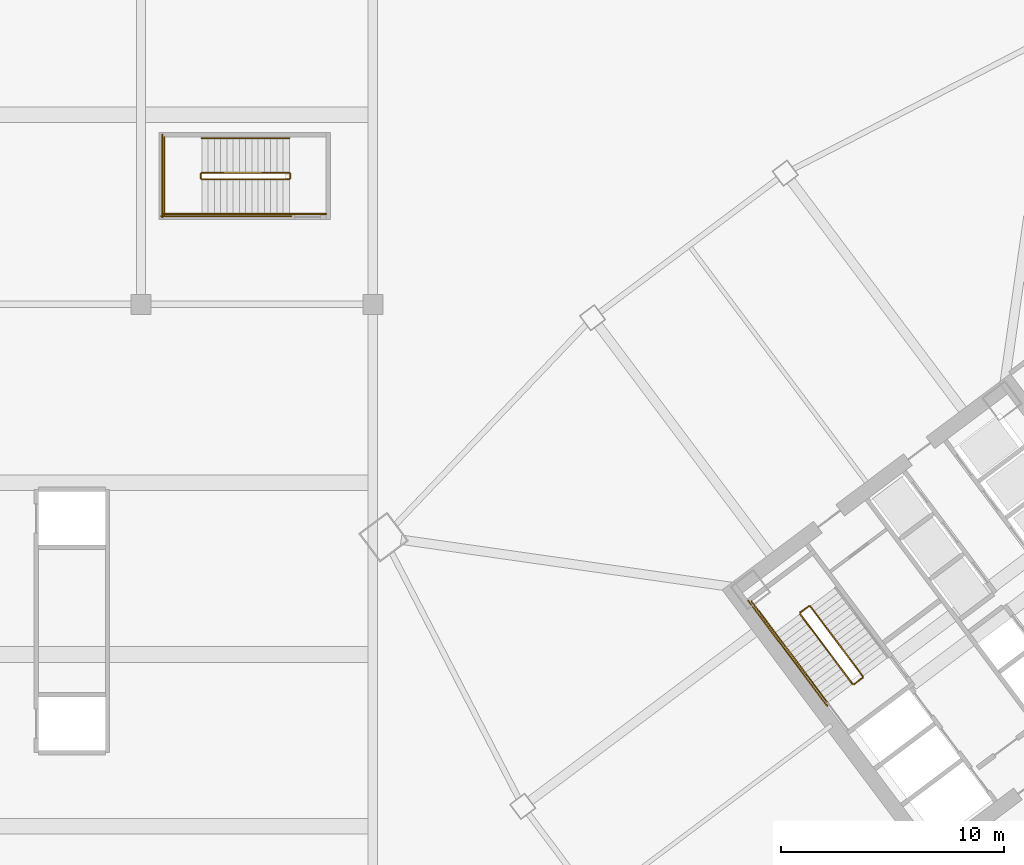
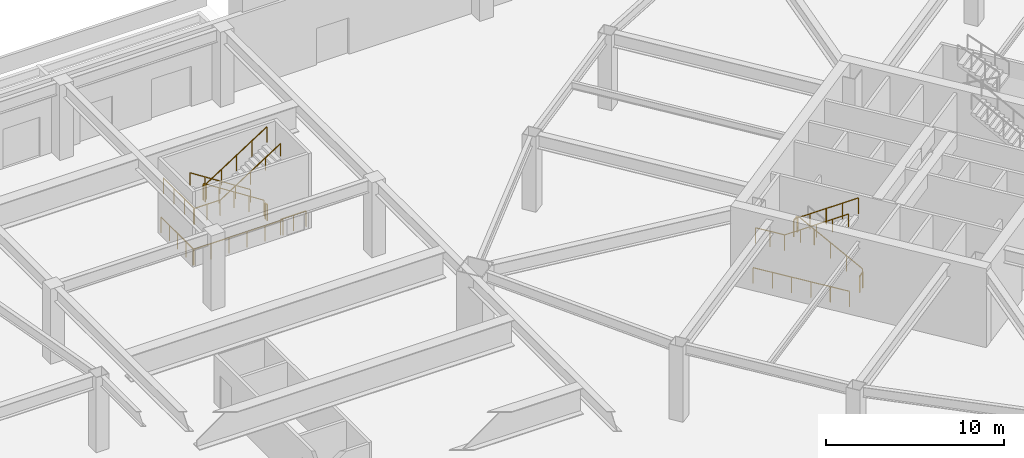
# One storey, part 23 of 26: 18 railings.
"""IFC4 building model written with IfcOpenShell, lengths in metres."""

from ifc_helpers import new_model, si_unit, direction, frame, origin, origin_2d, place, context, subcontext, project, spatial, rectangle, extrude, material, type_object, element, save


model = new_model("IFC4")

# Units and contexts
model_context = context("Model", 3, precision=1e-05, world=origin(), true_north=direction((0.0, 1.0)))
body_context = subcontext(model_context, "Body", "Model", "MODEL_VIEW")
ifc_project = project(units=[si_unit("LENGTHUNIT", "METRE"), si_unit("AREAUNIT", "SQUARE_METRE"), si_unit("VOLUMEUNIT", "CUBIC_METRE"), si_unit("PLANEANGLEUNIT", "RADIAN"), si_unit("MASSUNIT", "GRAM", prefix="KILO")], contexts=[model_context])

# Site, building, storey
site_placement = place(None, origin())
site = spatial("IfcSite", under=ifc_project, at=site_placement, CompositionType="ELEMENT")
building_placement = place(site_placement, origin())
building = spatial("IfcBuilding", under=site, at=building_placement, Name="Tashvorn Skyway Center", CompositionType="ELEMENT")
storey_placement = place(building_placement, origin())
storey = spatial("IfcBuildingStorey", under=building, at=storey_placement, Name="L00", CompositionType="ELEMENT", Elevation=0.0)

# Railings
ifc_material_1 = material(Name="Brushed stainless steel 316", Category="steel")
railing_type_1 = type_object("IfcRailingType", Name="RAIL-HAND-920", PredefinedType="HANDRAIL", material=ifc_material_1)
railing_1_placement = place(storey_placement, frame((105.23193359375, 31.47412109375, 2.8798828125)))
element("IfcRailing", 1, at=railing_1_placement, inside=storey, type_object=railing_type_1, Name="L00 ST-T2-1 stair handrail 2", PredefinedType="HANDRAIL", context=body_context, shape_type="SweptSolid", body=[
    extrude(rectangle(XDim=0.048095703125, YDim=0.048095703125, at=origin_2d()), frame((0.0, 0.0, 0.8759765625), z_axis=(0.504697265729, -0.672964612368, 0.540739586553), x_axis=(0.800014946318, 0.599980071059, 0.0)), (0.0, 0.0, 1.0), 4.660400390625),
    extrude(rectangle(XDim=0.0419921875, YDim=0.0419921875, at=origin_2d()), origin(), (0.0, 0.0, 1.0), 0.851806640625),
    extrude(rectangle(XDim=0.0419921875, YDim=0.0419921875, at=origin_2d()), frame((0.587890625, -0.7841796875, 0.6298828125)), (0.0, 0.0, 1.0), 0.851806640625),
    extrude(rectangle(XDim=0.0419921875, YDim=0.0419921875, at=origin_2d()), frame((1.176025390625, -1.568115234375, 1.260009765625)), (0.0, 0.0, 1.0), 0.851806640625),
    extrude(rectangle(XDim=0.0419921875, YDim=0.0419921875, at=origin_2d()), frame((1.76416015625, -2.35205078125, 1.89013671875)), (0.0, 0.0, 1.0), 0.851806640625),
    extrude(rectangle(XDim=0.0419921875, YDim=0.0419921875, at=origin_2d()), frame((2.35205078125, -3.13623046875, 2.52001953125)), (0.0, 0.0, 1.0), 0.851806640625),
])
railing_2_placement = place(storey_placement, frame((83.449951171875, 53.64990234375, 0.179931640625)))
element("IfcRailing", 2, at=railing_2_placement, inside=storey, type_object=railing_type_1, Name="L00 ST-POD-2 stair handrail 1", PredefinedType="HANDRAIL", context=body_context, shape_type="SweptSolid", body=[
    extrude(rectangle(XDim=0.048095703125, YDim=0.048095703125, at=origin_2d()), frame((0.0, 0.0, 0.8759765625), z_axis=(-0.841171666519, 0.0, 0.540768182723), x_axis=(0.0, -1.0, 0.0)), (0.0, 0.0, 1.0), 4.66015625),
    extrude(rectangle(XDim=0.0419921875, YDim=0.0419921875, at=origin_2d()), origin(), (0.0, 0.0, 1.0), 0.851806640625),
    extrude(rectangle(XDim=0.0419921875, YDim=0.0419921875, at=origin_2d()), frame((-0.97998046875, 0.0, 0.6298828125)), (0.0, 0.0, 1.0), 0.851806640625),
    extrude(rectangle(XDim=0.0419921875, YDim=0.0419921875, at=origin_2d()), frame((-1.9599609375, 0.0, 1.260009765625)), (0.0, 0.0, 1.0), 0.851806640625),
    extrude(rectangle(XDim=0.0419921875, YDim=0.0419921875, at=origin_2d()), frame((-2.93994140625, 0.0, 1.89013671875)), (0.0, 0.0, 1.0), 0.851806640625),
    extrude(rectangle(XDim=0.0419921875, YDim=0.0419921875, at=origin_2d()), frame((-3.919921875, 0.0, 2.52001953125)), (0.0, 0.0, 1.0), 0.851806640625),
])
railing_3_placement = place(storey_placement, frame((79.530029296875, 50.25, 2.8798828125)))
element("IfcRailing", 3, at=railing_3_placement, inside=storey, type_object=railing_type_1, Name="L00 ST-POD-2 stair handrail 2", PredefinedType="HANDRAIL", context=body_context, shape_type="SweptSolid", body=[
    extrude(rectangle(XDim=0.048095703125, YDim=0.048095703125, at=origin_2d()), frame((0.0, 0.0, 0.8759765625), z_axis=(0.841171666519, 0.0, 0.540768182723), x_axis=(0.0, 1.0, 0.0)), (0.0, 0.0, 1.0), 4.66015625),
    extrude(rectangle(XDim=0.0419921875, YDim=0.0419921875, at=origin_2d()), origin(), (0.0, 0.0, 1.0), 0.851806640625),
    extrude(rectangle(XDim=0.0419921875, YDim=0.0419921875, at=origin_2d()), frame((0.97998046875, 0.0, 0.6298828125)), (0.0, 0.0, 1.0), 0.851806640625),
    extrude(rectangle(XDim=0.0419921875, YDim=0.0419921875, at=origin_2d()), frame((1.9599609375, 0.0, 1.260009765625)), (0.0, 0.0, 1.0), 0.851806640625),
    extrude(rectangle(XDim=0.0419921875, YDim=0.0419921875, at=origin_2d()), frame((2.93994140625, 0.0, 1.89013671875)), (0.0, 0.0, 1.0), 0.851806640625),
    extrude(rectangle(XDim=0.0419921875, YDim=0.0419921875, at=origin_2d()), frame((3.919921875, 0.0, 2.52001953125)), (0.0, 0.0, 1.0), 0.851806640625),
])
ifc_material_2 = material(Name="Painted galvanized steel S355", Category="steel")
railing_type_2 = type_object("IfcRailingType", Name="RAIL-STGUARD-1100", PredefinedType="GUARDRAIL", material=ifc_material_2)
railing_4_placement = place(storey_placement, frame((109.16796875, 29.52587890625, 0.179931640625)))
element("IfcRailing", 4, at=railing_4_placement, inside=storey, type_object=railing_type_2, Name="L00 ST-T2-1 stair guard 1", PredefinedType="GUARDRAIL", context=body_context, shape_type="SweptSolid", body=[
    extrude(rectangle(XDim=0.048095703125, YDim=0.048095703125, at=origin_2d()), frame((0.0, 0.0, 1.076171875), z_axis=(-0.504697265729, 0.672964612368, 0.540739586553), x_axis=(-0.800014946318, -0.599980071059, 0.0)), (0.0, 0.0, 1.0), 4.660400390625),
    extrude(rectangle(XDim=0.0419921875, YDim=0.0419921875, at=origin_2d()), origin(), (0.0, 0.0, 1.0), 1.052001953125),
    extrude(rectangle(XDim=0.0419921875, YDim=0.0419921875, at=origin_2d()), frame((-0.587890625, 0.7841796875, 0.6298828125)), (0.0, 0.0, 1.0), 1.052001953125),
    extrude(rectangle(XDim=0.0419921875, YDim=0.0419921875, at=origin_2d()), frame((-1.176025390625, 1.568115234375, 1.260009765625)), (0.0, 0.0, 1.0), 1.052001953125),
    extrude(rectangle(XDim=0.0419921875, YDim=0.0419921875, at=origin_2d()), frame((-1.76416015625, 2.35205078125, 1.89013671875)), (0.0, 0.0, 1.0), 1.052001953125),
    extrude(rectangle(XDim=0.0419921875, YDim=0.0419921875, at=origin_2d()), frame((-2.35205078125, 3.13623046875, 2.52001953125)), (0.0, 0.0, 1.0), 1.052001953125),
])
railing_5_placement = place(storey_placement, frame((106.74609375, 32.672119140625, 2.699951171875)))
element("IfcRailing", 5, at=railing_5_placement, inside=storey, type_object=railing_type_2, Name="L00 ST-T2-1 stair guard 2", PredefinedType="GUARDRAIL", context=body_context, shape_type="SweptSolid", body=[
    extrude(rectangle(XDim=0.048095703125, YDim=0.048095703125, at=origin_2d()), frame((0.0, 0.0, 1.076171875), z_axis=(-0.799938970639, -0.600081363861, 0.0), x_axis=(0.600081363861, -0.799938970639, 0.0)), (0.0, 0.0, 1.0), 0.47998046875),
    extrude(rectangle(XDim=0.0419921875, YDim=0.0419921875, at=origin_2d()), origin(), (0.0, 0.0, 1.0), 1.052001953125),
    extrude(rectangle(XDim=0.0419921875, YDim=0.0419921875, at=origin_2d()), frame((-0.384033203125, -0.2880859375, 0.0)), (0.0, 0.0, 1.0), 1.052001953125),
])
railing_6_placement = place(storey_placement, frame((105.23193359375, 31.47412109375, 2.699951171875)))
element("IfcRailing", 6, at=railing_6_placement, inside=storey, type_object=railing_type_2, Name="L00 ST-T2-1 stair guard 3", PredefinedType="GUARDRAIL", context=body_context, shape_type="SweptSolid", body=[
    extrude(rectangle(XDim=0.048095703125, YDim=0.048095703125, at=origin_2d()), frame((0.0, 0.0, 1.076171875), z_axis=(-0.599977804058, 0.800016646475, 0.0), x_axis=(-0.800016646475, -0.599977804058, 0.0)), (0.0, 0.0, 1.0), 1.760009765625),
    extrude(rectangle(XDim=0.0419921875, YDim=0.0419921875, at=origin_2d()), origin(), (0.0, 0.0, 1.0), 1.052001953125),
    extrude(rectangle(XDim=0.0419921875, YDim=0.0419921875, at=origin_2d()), frame((-0.52783203125, 0.7041015625, 0.0)), (0.0, 0.0, 1.0), 1.052001953125),
    extrude(rectangle(XDim=0.0419921875, YDim=0.0419921875, at=origin_2d()), frame((-1.055908203125, 1.407958984375, 0.0)), (0.0, 0.0, 1.0), 1.052001953125),
])
railing_7_placement = place(storey_placement, frame((106.35205078125, 32.31396484375, 2.8798828125)))
element("IfcRailing", 7, at=railing_7_placement, inside=storey, type_object=railing_type_2, Name="L00 ST-T2-1 stair guard 4", PredefinedType="GUARDRAIL", context=body_context, shape_type="SweptSolid", body=[
    extrude(rectangle(XDim=0.048095703125, YDim=0.048095703125, at=origin_2d()), frame((0.0, 0.0, 1.076171875), z_axis=(0.504715058908, -0.672935948897, 0.54075865041), x_axis=(0.799992526283, 0.600009964827, 0.0)), (0.0, 0.0, 1.0), 4.66015625),
    extrude(rectangle(XDim=0.0419921875, YDim=0.0419921875, at=origin_2d()), origin(), (0.0, 0.0, 1.0), 1.052001953125),
    extrude(rectangle(XDim=0.0419921875, YDim=0.0419921875, at=origin_2d()), frame((0.587890625, -0.783935546875, 0.6298828125)), (0.0, 0.0, 1.0), 1.052001953125),
    extrude(rectangle(XDim=0.0419921875, YDim=0.0419921875, at=origin_2d()), frame((1.176025390625, -1.56787109375, 1.260009765625)), (0.0, 0.0, 1.0), 1.052001953125),
    extrude(rectangle(XDim=0.0419921875, YDim=0.0419921875, at=origin_2d()), frame((1.76416015625, -2.35205078125, 1.89013671875)), (0.0, 0.0, 1.0), 1.052001953125),
    extrude(rectangle(XDim=0.0419921875, YDim=0.0419921875, at=origin_2d()), frame((2.35205078125, -3.135986328125, 2.52001953125)), (0.0, 0.0, 1.0), 1.052001953125),
])
railing_8_placement = place(storey_placement, frame((109.157958984375, 29.4560546875, 0.0)))
element("IfcRailing", 8, at=railing_8_placement, inside=storey, type_object=railing_type_2, Name="L00 ST-T2-1 stair guard 5", PredefinedType="GUARDRAIL", context=body_context, shape_type="SweptSolid", body=[
    extrude(rectangle(XDim=0.048095703125, YDim=0.048095703125, at=origin_2d()), frame((0.0, 0.0, 1.076171875), z_axis=(-0.799938970639, -0.600081363861, 0.0), x_axis=(0.600081363861, -0.799938970639, 0.0)), (0.0, 0.0, 1.0), 0.47998046875),
    extrude(rectangle(XDim=0.0419921875, YDim=0.0419921875, at=origin_2d()), origin(), (0.0, 0.0, 1.0), 1.052001953125),
    extrude(rectangle(XDim=0.0419921875, YDim=0.0419921875, at=origin_2d()), frame((-0.384033203125, -0.2880859375, 0.0)), (0.0, 0.0, 1.0), 1.052001953125),
])
railing_9_placement = place(storey_placement, frame((107.56396484375, 28.197998046875, 0.0)))
element("IfcRailing", 9, at=railing_9_placement, inside=storey, type_object=railing_type_2, Name="L00 ST-T2-1 stair guard 7", PredefinedType="GUARDRAIL", context=body_context, shape_type="SweptSolid", body=[
    extrude(rectangle(XDim=0.048095703125, YDim=0.048095703125, at=origin_2d()), frame((0.0, 0.0, 1.076171875), z_axis=(-0.6, 0.8, 0.0), x_axis=(-0.8, -0.6, 0.0)), (0.0, 0.0, 1.0), 5.880126953125),
    extrude(rectangle(XDim=0.0419921875, YDim=0.0419921875, at=origin_2d()), origin(), (0.0, 0.0, 1.0), 1.052001953125),
    extrude(rectangle(XDim=0.0419921875, YDim=0.0419921875, at=origin_2d()), frame((-0.70556640625, 0.94091796875, 0.0)), (0.0, 0.0, 1.0), 1.052001953125),
    extrude(rectangle(XDim=0.0419921875, YDim=0.0419921875, at=origin_2d()), frame((-1.4111328125, 1.881591796875, 0.0)), (0.0, 0.0, 1.0), 1.052001953125),
    extrude(rectangle(XDim=0.0419921875, YDim=0.0419921875, at=origin_2d()), frame((-2.116943359375, 2.822509765625, 0.0)), (0.0, 0.0, 1.0), 1.052001953125),
    extrude(rectangle(XDim=0.0419921875, YDim=0.0419921875, at=origin_2d()), frame((-2.822509765625, 3.76318359375, 0.0)), (0.0, 0.0, 1.0), 1.052001953125),
    extrude(rectangle(XDim=0.0419921875, YDim=0.0419921875, at=origin_2d()), frame((-3.528076171875, 4.7041015625, 0.0)), (0.0, 0.0, 1.0), 1.052001953125),
])
railing_10_placement = place(storey_placement, frame((83.449951171875, 52.10009765625, 0.179931640625)))
element("IfcRailing", 10, at=railing_10_placement, inside=storey, type_object=railing_type_2, Name="L00 ST-POD-2 stair guard 1", PredefinedType="GUARDRAIL", context=body_context, shape_type="SweptSolid", body=[
    extrude(rectangle(XDim=0.048095703125, YDim=0.048095703125, at=origin_2d()), frame((0.0, 0.0, 1.076171875), z_axis=(-0.841171666519, 0.0, 0.540768182723), x_axis=(0.0, -1.0, 0.0)), (0.0, 0.0, 1.0), 4.66015625),
    extrude(rectangle(XDim=0.0419921875, YDim=0.0419921875, at=origin_2d()), origin(), (0.0, 0.0, 1.0), 1.052001953125),
    extrude(rectangle(XDim=0.0419921875, YDim=0.0419921875, at=origin_2d()), frame((-0.97998046875, 0.0, 0.6298828125)), (0.0, 0.0, 1.0), 1.052001953125),
    extrude(rectangle(XDim=0.0419921875, YDim=0.0419921875, at=origin_2d()), frame((-1.9599609375, 0.0, 1.260009765625)), (0.0, 0.0, 1.0), 1.052001953125),
    extrude(rectangle(XDim=0.0419921875, YDim=0.0419921875, at=origin_2d()), frame((-2.93994140625, 0.0, 1.89013671875)), (0.0, 0.0, 1.0), 1.052001953125),
    extrude(rectangle(XDim=0.0419921875, YDim=0.0419921875, at=origin_2d()), frame((-3.919921875, 0.0, 2.52001953125)), (0.0, 0.0, 1.0), 1.052001953125),
])
railing_11_placement = place(storey_placement, frame((79.47998046875, 52.050048828125, 2.699951171875)))
element("IfcRailing", 11, at=railing_11_placement, inside=storey, type_object=railing_type_2, Name="L00 ST-POD-2 stair guard 2", PredefinedType="GUARDRAIL", context=body_context, shape_type="SweptSolid", body=[
    extrude(rectangle(XDim=0.048095703125, YDim=0.048095703125, at=origin_2d()), frame((0.0, 0.0, 1.076171875), z_axis=(0.0, -1.0, 0.0), x_axis=(1.0, 0.0, 0.0)), (0.0, 0.0, 1.0), 0.199951171875),
    extrude(rectangle(XDim=0.0419921875, YDim=0.0419921875, at=origin_2d()), origin(), (0.0, 0.0, 1.0), 1.052001953125),
    extrude(rectangle(XDim=0.0419921875, YDim=0.0419921875, at=origin_2d()), frame((0.0, -0.199951171875, 0.0)), (0.0, 0.0, 1.0), 1.052001953125),
])
railing_12_placement = place(storey_placement, frame((79.530029296875, 50.25, 2.699951171875)))
element("IfcRailing", 12, at=railing_12_placement, inside=storey, type_object=railing_type_2, Name="L00 ST-POD-2 stair guard 3", PredefinedType="GUARDRAIL", context=body_context, shape_type="SweptSolid", body=[
    extrude(rectangle(XDim=0.048095703125, YDim=0.048095703125, at=origin_2d()), frame((0.0, 0.0, 1.076171875), z_axis=(-1.0, 0.0, 0.0), x_axis=(0.0, -1.0, 0.0)), (0.0, 0.0, 1.0), 1.72998046875),
    extrude(rectangle(XDim=0.0419921875, YDim=0.0419921875, at=origin_2d()), origin(), (0.0, 0.0, 1.0), 1.052001953125),
    extrude(rectangle(XDim=0.0419921875, YDim=0.0419921875, at=origin_2d()), frame((-0.864990234375, 0.0, 0.0)), (0.0, 0.0, 1.0), 1.052001953125),
    extrude(rectangle(XDim=0.0419921875, YDim=0.0419921875, at=origin_2d()), frame((-1.72998046875, 0.0, 0.0)), (0.0, 0.0, 1.0), 1.052001953125),
])
railing_13_placement = place(storey_placement, frame((77.85009765625, 53.699951171875, 2.699951171875)))
element("IfcRailing", 13, at=railing_13_placement, inside=storey, type_object=railing_type_2, Name="L00 ST-POD-2 stair guard 4", PredefinedType="GUARDRAIL", context=body_context, shape_type="SweptSolid", body=[
    extrude(rectangle(XDim=0.048095703125, YDim=0.048095703125, at=origin_2d()), frame((0.0, 0.0, 1.076171875), z_axis=(0.0, -1.0, 0.0), x_axis=(1.0, 0.0, 0.0)), (0.0, 0.0, 1.0), 3.5),
    extrude(rectangle(XDim=0.0419921875, YDim=0.0419921875, at=origin_2d()), origin(), (0.0, 0.0, 1.0), 1.052001953125),
    extrude(rectangle(XDim=0.0419921875, YDim=0.0419921875, at=origin_2d()), frame((0.0, -1.166748046875, 0.0)), (0.0, 0.0, 1.0), 1.052001953125),
    extrude(rectangle(XDim=0.0419921875, YDim=0.0419921875, at=origin_2d()), frame((0.0, -2.333251953125, 0.0)), (0.0, 0.0, 1.0), 1.052001953125),
    extrude(rectangle(XDim=0.0419921875, YDim=0.0419921875, at=origin_2d()), frame((0.0, -3.5, 0.0)), (0.0, 0.0, 1.0), 1.052001953125),
])
railing_14_placement = place(storey_placement, frame((79.530029296875, 51.800048828125, 2.8798828125)))
element("IfcRailing", 14, at=railing_14_placement, inside=storey, type_object=railing_type_2, Name="L00 ST-POD-2 stair guard 5", PredefinedType="GUARDRAIL", context=body_context, shape_type="SweptSolid", body=[
    extrude(rectangle(XDim=0.048095703125, YDim=0.048095703125, at=origin_2d()), frame((0.0, 0.0, 1.076171875), z_axis=(0.841171666519, 0.0, 0.540768182723), x_axis=(0.0, 1.0, 0.0)), (0.0, 0.0, 1.0), 4.66015625),
    extrude(rectangle(XDim=0.0419921875, YDim=0.0419921875, at=origin_2d()), origin(), (0.0, 0.0, 1.0), 1.052001953125),
    extrude(rectangle(XDim=0.0419921875, YDim=0.0419921875, at=origin_2d()), frame((0.97998046875, 0.0, 0.6298828125)), (0.0, 0.0, 1.0), 1.052001953125),
    extrude(rectangle(XDim=0.0419921875, YDim=0.0419921875, at=origin_2d()), frame((1.9599609375, 0.0, 1.260009765625)), (0.0, 0.0, 1.0), 1.052001953125),
    extrude(rectangle(XDim=0.0419921875, YDim=0.0419921875, at=origin_2d()), frame((2.93994140625, 0.0, 1.89013671875)), (0.0, 0.0, 1.0), 1.052001953125),
    extrude(rectangle(XDim=0.0419921875, YDim=0.0419921875, at=origin_2d()), frame((3.919921875, 0.0, 2.52001953125)), (0.0, 0.0, 1.0), 1.052001953125),
])
railing_15_placement = place(storey_placement, frame((83.5, 52.050048828125, 0.0)))
element("IfcRailing", 15, at=railing_15_placement, inside=storey, type_object=railing_type_2, Name="L00 ST-POD-2 stair guard 6", PredefinedType="GUARDRAIL", context=body_context, shape_type="SweptSolid", body=[
    extrude(rectangle(XDim=0.048095703125, YDim=0.048095703125, at=origin_2d()), frame((0.0, 0.0, 1.076171875), z_axis=(0.0, -1.0, 0.0), x_axis=(1.0, 0.0, 0.0)), (0.0, 0.0, 1.0), 0.199951171875),
    extrude(rectangle(XDim=0.0419921875, YDim=0.0419921875, at=origin_2d()), origin(), (0.0, 0.0, 1.0), 1.052001953125),
    extrude(rectangle(XDim=0.0419921875, YDim=0.0419921875, at=origin_2d()), frame((0.0, -0.199951171875, 0.0)), (0.0, 0.0, 1.0), 1.052001953125),
])
railing_16_placement = place(storey_placement, frame((85.10009765625, 50.25, 0.0)))
element("IfcRailing", 16, at=railing_16_placement, inside=storey, type_object=railing_type_2, Name="L00 ST-POD-2 stair guard 7", PredefinedType="GUARDRAIL", context=body_context, shape_type="SweptSolid", body=[
    extrude(rectangle(XDim=0.048095703125, YDim=0.048095703125, at=origin_2d()), frame((0.0, 0.0, 1.076171875), z_axis=(-1.0, 0.0, 0.0), x_axis=(0.0, -1.0, 0.0)), (0.0, 0.0, 1.0), 1.650146484375),
    extrude(rectangle(XDim=0.0419921875, YDim=0.0419921875, at=origin_2d()), origin(), (0.0, 0.0, 1.0), 1.052001953125),
    extrude(rectangle(XDim=0.0419921875, YDim=0.0419921875, at=origin_2d()), frame((-0.8251953125, 0.0, 0.0)), (0.0, 0.0, 1.0), 1.052001953125),
    extrude(rectangle(XDim=0.0419921875, YDim=0.0419921875, at=origin_2d()), frame((-1.650146484375, 0.0, 0.0)), (0.0, 0.0, 1.0), 1.052001953125),
])
railing_17_placement = place(storey_placement, frame((83.550048828125, 50.14990234375, 0.0)))
element("IfcRailing", 17, at=railing_17_placement, inside=storey, type_object=railing_type_2, Name="L00 ST-POD-2 stair guard 8", PredefinedType="GUARDRAIL", context=body_context, shape_type="SweptSolid", body=[
    extrude(rectangle(XDim=0.048095703125, YDim=0.048095703125, at=origin_2d()), frame((0.0, 0.0, 1.076171875), z_axis=(-1.0, 0.0, 0.0), x_axis=(0.0, -1.0, 0.0)), (0.0, 0.0, 1.0), 5.85009765625),
    extrude(rectangle(XDim=0.0419921875, YDim=0.0419921875, at=origin_2d()), origin(), (0.0, 0.0, 1.0), 1.052001953125),
    extrude(rectangle(XDim=0.0419921875, YDim=0.0419921875, at=origin_2d()), frame((-1.169921875, 0.0, 0.0)), (0.0, 0.0, 1.0), 1.052001953125),
    extrude(rectangle(XDim=0.0419921875, YDim=0.0419921875, at=origin_2d()), frame((-2.340087890625, 0.0, 0.0)), (0.0, 0.0, 1.0), 1.052001953125),
    extrude(rectangle(XDim=0.0419921875, YDim=0.0419921875, at=origin_2d()), frame((-3.510009765625, 0.0, 0.0)), (0.0, 0.0, 1.0), 1.052001953125),
    extrude(rectangle(XDim=0.0419921875, YDim=0.0419921875, at=origin_2d()), frame((-4.68017578125, 0.0, 0.0)), (0.0, 0.0, 1.0), 1.052001953125),
    extrude(rectangle(XDim=0.0419921875, YDim=0.0419921875, at=origin_2d()), frame((-5.85009765625, 0.0, 0.0)), (0.0, 0.0, 1.0), 1.052001953125),
])
railing_18_placement = place(storey_placement, frame((77.75, 53.800048828125, 0.0)))
element("IfcRailing", 18, at=railing_18_placement, inside=storey, type_object=railing_type_2, Name="L00 ST-POD-2 stair guard 9", PredefinedType="GUARDRAIL", context=body_context, shape_type="SweptSolid", body=[
    extrude(rectangle(XDim=0.048095703125, YDim=0.048095703125, at=origin_2d()), frame((0.0, 0.0, 1.076171875), z_axis=(0.0, -1.0, 0.0), x_axis=(1.0, 0.0, 0.0)), (0.0, 0.0, 1.0), 3.699951171875),
    extrude(rectangle(XDim=0.0419921875, YDim=0.0419921875, at=origin_2d()), origin(), (0.0, 0.0, 1.0), 1.052001953125),
    extrude(rectangle(XDim=0.0419921875, YDim=0.0419921875, at=origin_2d()), frame((0.0, -0.925048828125, 0.0)), (0.0, 0.0, 1.0), 1.052001953125),
    extrude(rectangle(XDim=0.0419921875, YDim=0.0419921875, at=origin_2d()), frame((0.0, -1.85009765625, 0.0)), (0.0, 0.0, 1.0), 1.052001953125),
    extrude(rectangle(XDim=0.0419921875, YDim=0.0419921875, at=origin_2d()), frame((0.0, -2.77490234375, 0.0)), (0.0, 0.0, 1.0), 1.052001953125),
    extrude(rectangle(XDim=0.0419921875, YDim=0.0419921875, at=origin_2d()), frame((0.0, -3.699951171875, 0.0)), (0.0, 0.0, 1.0), 1.052001953125),
])

save(model, "model.ifc")
